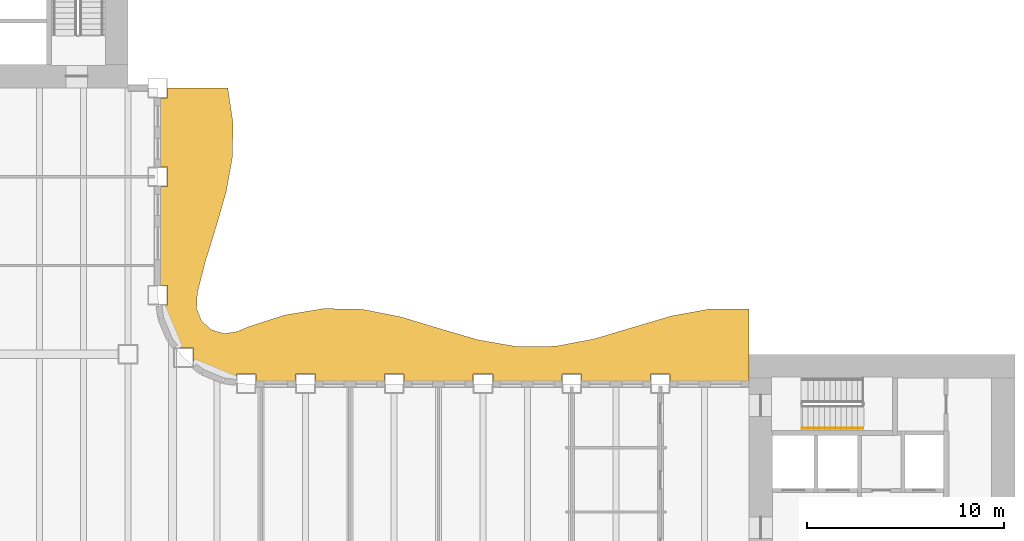
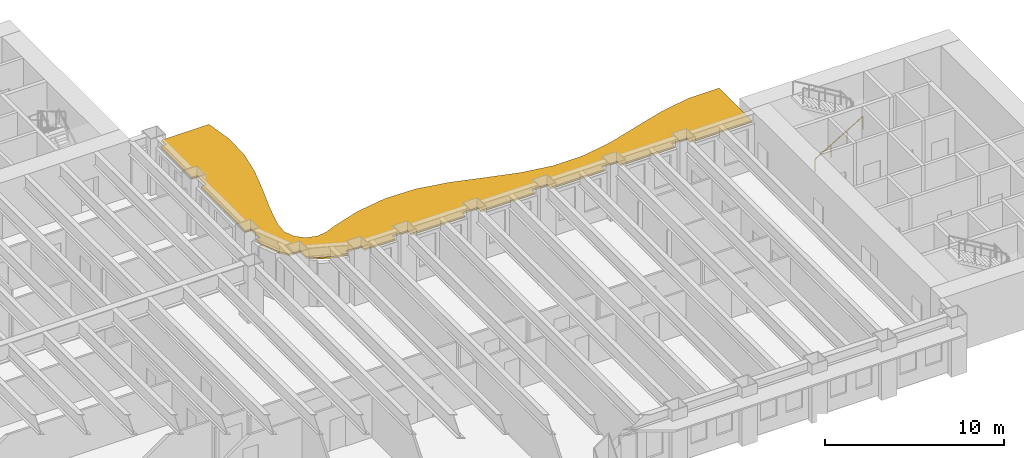
# One storey, part 14 of 16: 1 railing, 1 shading device.
"""IFC4 building model written with IfcOpenShell, lengths in metres."""

from ifc_helpers import new_model, si_unit, direction, frame, origin, origin_2d, place, context, subcontext, project, spatial, polyline, rectangle, outline, extrude, material, layer, layer_set, type_object, element, save


model = new_model("IFC4")

# Units and contexts
model_context = context("Model", 3, precision=1e-05, world=origin(), true_north=direction((0.0, 1.0)))
body_context = subcontext(model_context, "Body", "Model", "MODEL_VIEW")
ifc_project = project(units=[si_unit("LENGTHUNIT", "METRE"), si_unit("AREAUNIT", "SQUARE_METRE"), si_unit("VOLUMEUNIT", "CUBIC_METRE"), si_unit("PLANEANGLEUNIT", "RADIAN"), si_unit("MASSUNIT", "GRAM", prefix="KILO")], contexts=[model_context])

# Site, building, storey
site_placement = place(None, origin())
site = spatial("IfcSite", under=ifc_project, at=site_placement, CompositionType="ELEMENT")
building_placement = place(site_placement, origin())
building = spatial("IfcBuilding", under=site, at=building_placement, Name="Sennacour Bend Tower", CompositionType="ELEMENT")
storey_placement = place(building_placement, frame((0.0, 0.0, 95.0)))
storey = spatial("IfcBuildingStorey", under=building, at=storey_placement, Name="L21", CompositionType="ELEMENT", Elevation=95.0)

# Railing
ifc_material_1 = material(Name="Stainless steel", Category="steel")
railing_type = type_object("IfcRailingType", Name="RL-HANDRAIL-900", PredefinedType="HANDRAIL", material=ifc_material_1)
railing_placement = place(storey_placement, frame((56.699951171875, 18.75, 0.166748046875)))
element("IfcRailing", 1, at=railing_placement, inside=storey, type_object=railing_type, Name="L21 SA2 stair handrail 1", PredefinedType="HANDRAIL", context=body_context, shape_type="SweptSolid", body=[
    extrude(rectangle(XDim=0.048095703125, YDim=0.048095703125, at=origin_2d()), frame((0.0, 0.0, 0.8759765625), z_axis=(0.859308565015, 0.0, 0.511457515432), x_axis=(0.0, 1.0, 0.0)), (0.0, 0.0, 1.0), 3.58447265625),
    extrude(rectangle(XDim=0.0419921875, YDim=0.0419921875, at=origin_2d()), origin(), (0.0, 0.0, 1.0), 0.851806640625),
    extrude(rectangle(XDim=0.0419921875, YDim=0.0419921875, at=origin_2d()), frame((1.026611328125, 0.0, 0.611083984375)), (0.0, 0.0, 1.0), 0.851806640625),
    extrude(rectangle(XDim=0.0419921875, YDim=0.0419921875, at=origin_2d()), frame((2.053466796875, 0.0, 1.22216796875)), (0.0, 0.0, 1.0), 0.851806640625),
    extrude(rectangle(XDim=0.0419921875, YDim=0.0419921875, at=origin_2d()), frame((3.080078125, 0.0, 1.833251953125)), (0.0, 0.0, 1.0), 0.851806640625),
])

# Shading device
ifc_material_2 = material(Name="Bronze anodised aluminium", Category="aluminium")
ifc_layer = layer(ifc_material_2, 0.1201171875, Name="Bronze anodised aluminium", Category="aluminium")
ifc_layer_set = layer_set([ifc_layer], Name="Bronze anodised aluminium")
shading_device_type = type_object("IfcShadingDeviceType", Name="SUNSHADE BAND WAVE", PredefinedType="USERDEFINED", material=ifc_layer_set)
shading_device_placement = place(storey_placement, frame((0.0, 0.0, 3.033935546875)))
element("IfcShadingDevice", 2, at=shading_device_placement, inside=storey, type_object=shading_device_type, Name="Sunshade band L21 concave faces", ObjectType="SUNSHADE", PredefinedType="USERDEFINED", context=body_context, shape_type="SweptSolid", body=[
    extrude(outline(polyline([(54.0, 21.14990234375), (50.0, 21.14990234375), (50.0, 21.5), (49.0, 21.5), (49.0, 21.14990234375), (45.5, 21.14990234375), (45.5, 21.5), (44.5, 21.5), (44.5, 21.14990234375), (41.0, 21.14990234375), (41.0, 21.5), (40.0, 21.5), (40.0, 21.14990234375), (36.5, 21.14990234375), (36.5, 21.5), (35.5, 21.5), (35.5, 21.14990234375), (32.0, 21.14990234375), (32.0, 21.5), (31.0, 21.5), (31.0, 21.14990234375), (29.0, 21.14990234375), (29.0, 21.5), (28.0, 21.5), (28.0, 21.217041015625), (27.37451171875, 21.299560546875), (26.32568359375, 21.73388671875), (25.818115234375, 22.123291015625), (25.818115234375, 22.818115234375), (25.123291015625, 22.818115234375), (24.73388671875, 23.32568359375), (24.299560546875, 24.37451171875), (24.217041015625, 25.0), (24.5, 25.0), (24.5, 26.0), (24.14990234375, 26.0), (24.14990234375, 31.0), (24.5, 31.0), (24.5, 32.0), (24.14990234375, 32.0), (24.14990234375, 35.5), (24.5, 35.5), (24.5, 36.0), (27.560791015625, 36.0), (27.82470703125, 34.25), (27.7958984375, 32.5), (27.482666015625, 30.75), (26.979248046875, 29.0), (26.43701171875, 27.25), (26.018798828125, 25.63232421875), (25.978515625, 24.824462890625), (26.2294921875, 24.189208984375), (26.73486328125, 23.73486328125), (27.37451171875, 23.55029296875), (28.0029296875, 23.645263671875), (28.69189453125, 23.926025390625), (30.46142578125, 24.4931640625), (32.423095703125, 24.819091796875), (34.384521484375, 24.78125), (36.34619140625, 24.394287109375), (38.3076171875, 23.802978515625), (40.269287109375, 23.2294921875), (42.230712890625, 22.888671875), (44.1923828125, 22.908447265625), (46.15380859375, 23.28125), (48.115478515625, 23.86767578125), (50.076904296875, 24.447265625), (52.03857421875, 24.802978515625), (54.0, 24.801025390625), (54.0, 21.14990234375)])), origin(), (0.0, 0.0, 1.0), 0.1201171875),
])

save(model, "model.ifc")
